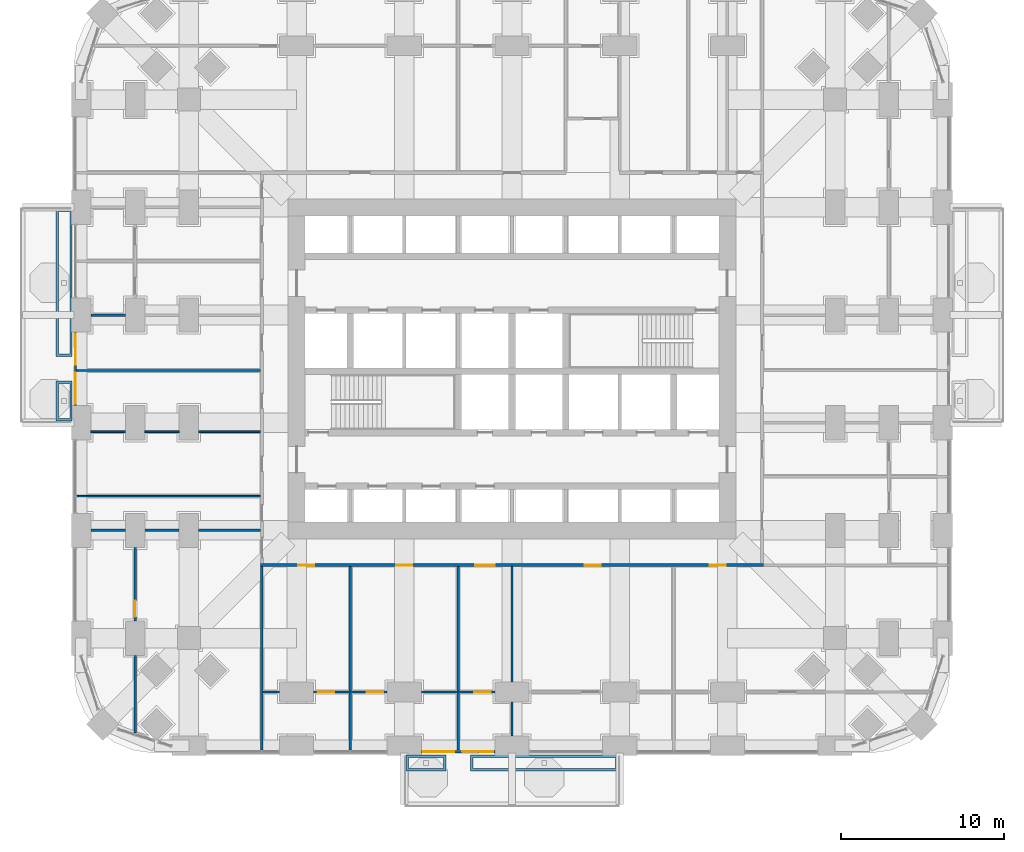
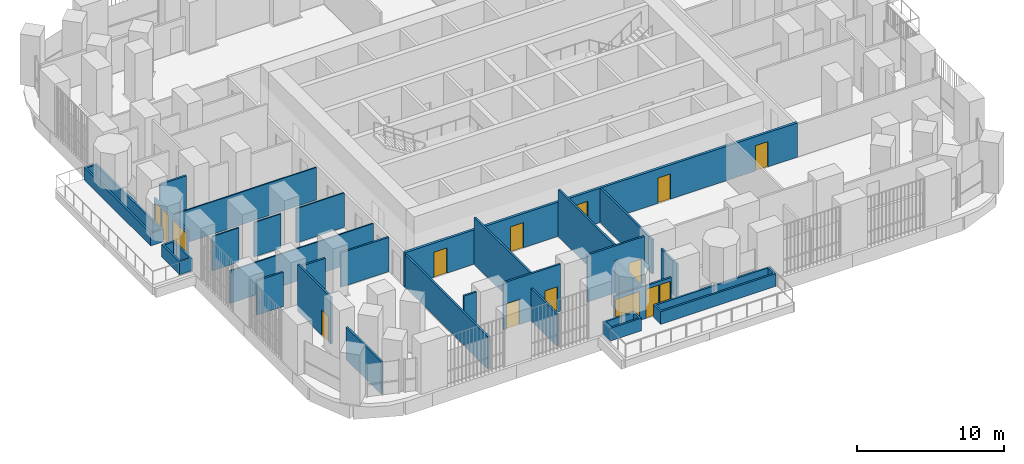
# One storey, part 17 of 26: 28 walls, 11 doors, 4 windows, 15 openings.
"""IFC4 building model written with IfcOpenShell, lengths in metres."""

from ifc_helpers import new_model, si_unit, direction, frame, frame_2d, origin, place, context, subcontext, project, spatial, polyline, rectangle, outline, extrude, material, layer, layer_set, type_object, element, fill, save


model = new_model("IFC4")

# Units and contexts
model_context = context("Model", 3, precision=1e-05, world=origin(), true_north=direction((0.0, 1.0)))
body_context = subcontext(model_context, "Body", "Model", "MODEL_VIEW")
ifc_project = project(units=[si_unit("LENGTHUNIT", "METRE"), si_unit("AREAUNIT", "SQUARE_METRE"), si_unit("VOLUMEUNIT", "CUBIC_METRE"), si_unit("PLANEANGLEUNIT", "RADIAN"), si_unit("MASSUNIT", "GRAM", prefix="KILO")], contexts=[model_context])

# Site, building, storey
site_placement = place(None, origin())
site = spatial("IfcSite", under=ifc_project, at=site_placement, CompositionType="ELEMENT")
building_placement = place(site_placement, origin())
building = spatial("IfcBuilding", under=site, at=building_placement, Name="Cobogo Forest Laboratory Tower", CompositionType="ELEMENT")
storey_placement = place(building_placement, frame((0.0, 0.0, 33.89990234375)))
storey = spatial("IfcBuildingStorey", under=building, at=storey_placement, Name="L07", CompositionType="ELEMENT", Elevation=33.89990234375)

# Wall, openings, door, windows
ifc_material_1 = material(Name="Aluminium framed glazed screen", Category="aluminium")
ifc_layer_1 = layer(ifc_material_1, 0.14990234375)
ifc_layer_set_1 = layer_set([ifc_layer_1], Name="GS1 glazed door screen 150")
wall_type_1 = type_object("IfcWallType", Name="GS1 glazed door screen 150", PredefinedType="SOLIDWALL", material=ifc_layer_set_1)
wall_1_placement = place(storey_placement, frame((20.85009765625, -0.35009765625, 0.0), z_axis=(0.0, 0.0, 1.0), x_axis=(1.0, 0.0, 0.0)))
wall_1 = element("IfcWall", 1, at=wall_1_placement, inside=storey, type_object=wall_type_1, Name="Door screen BAL-S1 L07", PredefinedType="SOLIDWALL", context=body_context, shape_type="SweptSolid", body=[
    extrude(rectangle(XDim=4.5, YDim=0.14990234375, at=frame_2d((2.25, 0.0))), origin(), (0.0, 0.0, 1.0), 2.7001953125),
])
opening_1_placement = place(wall_1_placement, frame((2.5, 0.0, 0.0)))
opening_1 = element("IfcOpeningElement", 2, at=opening_1_placement, cuts=wall_1, Name="Opening L07-D01", PredefinedType="OPENING", context=body_context, shape_type="SweptSolid", body=[
    extrude(rectangle(XDim=1.0, YDim=2.39990234375, at=frame_2d((0.5, 1.199951171875))), frame((0.0, 0.0849609375, 0.0), z_axis=(0.0, -1.0, 0.0), x_axis=(1.0, 0.0, 0.0)), (0.0, 0.0, 1.0), 0.169921875),
])
opening_2_placement = place(wall_1_placement, frame((0.10009765625, 0.0, 0.10009765625)))
opening_2 = element("IfcOpeningElement", 3, at=opening_2_placement, cuts=wall_1, Name="Opening L07-W01", PredefinedType="OPENING", context=body_context, shape_type="SweptSolid", body=[
    extrude(rectangle(XDim=1.89990234375, YDim=2.300048828125, at=frame_2d((0.949951171875, 1.14990234375))), frame((0.0, 0.0849609375, 0.0), z_axis=(0.0, -1.0, 0.0), x_axis=(1.0, 0.0, 0.0)), (0.0, 0.0, 1.0), 0.169921875),
])
opening_3_placement = place(wall_1_placement, frame((3.60009765625, 0.0, 0.10009765625)))
opening_3 = element("IfcOpeningElement", 4, at=opening_3_placement, cuts=wall_1, Name="Opening L07-W02", PredefinedType="OPENING", context=body_context, shape_type="SweptSolid", body=[
    extrude(rectangle(XDim=0.800048828125, YDim=2.300048828125, at=frame_2d((0.39990234375, 1.14990234375))), frame((0.0, 0.0849609375, 0.0), z_axis=(0.0, -1.0, 0.0), x_axis=(1.0, 0.0, 0.0)), (0.0, 0.0, 1.0), 0.169921875),
])
ifc_material_2 = material(Name="Aluminium glazed door", Category="aluminium")
door_type_1 = type_object("IfcDoorType", Name="DB1 balcony door 1000 glazed", OperationType="SINGLE_SWING_LEFT", PredefinedType="DOOR", material=ifc_material_2)
door_1_placement = place(opening_1_placement, origin())
door_1 = element("IfcDoor", 5, at=door_1_placement, inside=storey, type_object=door_type_1, Name="Door L07-BAL-S1", OperationType="SINGLE_SWING_RIGHT", OverallHeight=2.39990234375, OverallWidth=1.0, PredefinedType="DOOR", context=body_context, shape_type="SweptSolid", body=[
    extrude(rectangle(XDim=1.0, YDim=2.39990234375, at=frame_2d((0.5, 1.199951171875))), frame((0.0, 0.02490234375, 0.0), z_axis=(0.0, -1.0, 0.0), x_axis=(1.0, 0.0, 0.0)), (0.0, 0.0, 1.0), 0.050048828125),
])
fill(opening_1, door_1)
ifc_material_3 = material(Name="Aluminium framed glazing", Category="aluminium")
window_type_1 = type_object("IfcWindowType", Name="WG3 fixed glazed light 1900x2300", PartitioningType="SINGLE_PANEL", PredefinedType="WINDOW", material=ifc_material_3)
window_1_placement = place(opening_2_placement, origin())
window_1 = element("IfcWindow", 6, at=window_1_placement, inside=storey, type_object=window_type_1, Name="Window L07-BAL-S1-1", OverallHeight=2.300048828125, OverallWidth=1.89990234375, PartitioningType="SINGLE_PANEL", PredefinedType="WINDOW", context=body_context, shape_type="SweptSolid", body=[
    extrude(rectangle(XDim=1.89990234375, YDim=2.300048828125, at=frame_2d((0.949951171875, 1.14990234375))), frame((0.0, 0.030029296875, 0.0), z_axis=(0.0, -1.0, 0.0), x_axis=(1.0, 0.0, 0.0)), (0.0, 0.0, 1.0), 0.06005859375),
])
fill(opening_2, window_1)
window_type_2 = type_object("IfcWindowType", Name="WG4 fixed glazed light 800x2300", PartitioningType="SINGLE_PANEL", PredefinedType="WINDOW", material=ifc_material_3)
window_2_placement = place(opening_3_placement, origin())
window_2 = element("IfcWindow", 7, at=window_2_placement, inside=storey, type_object=window_type_2, Name="Window L07-BAL-S1-2", OverallHeight=2.300048828125, OverallWidth=0.800048828125, PartitioningType="SINGLE_PANEL", PredefinedType="WINDOW", context=body_context, shape_type="SweptSolid", body=[
    extrude(rectangle(XDim=0.800048828125, YDim=2.300048828125, at=frame_2d((0.39990234375, 1.14990234375))), frame((0.0, 0.030029296875, 0.0), z_axis=(0.0, -1.0, 0.0), x_axis=(1.0, 0.0, 0.0)), (0.0, 0.0, 1.0), 0.06005859375),
])
fill(opening_3, window_2)

wall_2_placement = place(storey_placement, frame((-0.35009765625, 25.35009765625, 0.0), z_axis=(0.0, 0.0, 1.0), x_axis=(0.0, -1.0, 0.0)))
wall_2 = element("IfcWall", 8, at=wall_2_placement, inside=storey, type_object=wall_type_1, Name="Door screen BAL-W1 L07", PredefinedType="SOLIDWALL", context=body_context, shape_type="SweptSolid", body=[
    extrude(rectangle(XDim=4.5, YDim=0.14990234375, at=frame_2d((2.25, 0.0))), origin(), (0.0, 0.0, 1.0), 2.7001953125),
])
opening_4_placement = place(wall_2_placement, frame((1.0, 0.0, 0.0)))
opening_4 = element("IfcOpeningElement", 9, at=opening_4_placement, cuts=wall_2, Name="Opening L07-D27", PredefinedType="OPENING", context=body_context, shape_type="SweptSolid", body=[
    extrude(rectangle(XDim=1.0, YDim=2.39990234375, at=frame_2d((0.5, 1.199951171875))), frame((0.0, 0.0849609375, 0.0), z_axis=(0.0, -1.0, 0.0), x_axis=(1.0, 0.0, 0.0)), (0.0, 0.0, 1.0), 0.169921875),
])
opening_5_placement = place(wall_2_placement, frame((0.10009765625, 0.0, 0.10009765625)))
opening_5 = element("IfcOpeningElement", 10, at=opening_5_placement, cuts=wall_2, Name="Opening L07-W05", PredefinedType="OPENING", context=body_context, shape_type="SweptSolid", body=[
    extrude(rectangle(XDim=0.800048828125, YDim=2.300048828125, at=frame_2d((0.39990234375, 1.14990234375))), frame((0.0, 0.0849609375, 0.0), z_axis=(0.0, -1.0, 0.0), x_axis=(1.0, 0.0, 0.0)), (0.0, 0.0, 1.0), 0.169921875),
])
opening_6_placement = place(wall_2_placement, frame((2.5, 0.0, 0.10009765625)))
opening_6 = element("IfcOpeningElement", 11, at=opening_6_placement, cuts=wall_2, Name="Opening L07-W03", PredefinedType="OPENING", context=body_context, shape_type="SweptSolid", body=[
    extrude(rectangle(XDim=1.89990234375, YDim=2.300048828125, at=frame_2d((0.949951171875, 1.14990234375))), frame((0.0, 0.0849609375, 0.0), z_axis=(0.0, -1.0, 0.0), x_axis=(1.0, 0.0, 0.0)), (0.0, 0.0, 1.0), 0.169921875),
])
door_2_placement = place(opening_4_placement, origin())
door_2 = element("IfcDoor", 12, at=door_2_placement, inside=storey, type_object=door_type_1, Name="Door L07-BAL-W1", OperationType="SINGLE_SWING_LEFT", OverallHeight=2.39990234375, OverallWidth=1.0, PredefinedType="DOOR", context=body_context, shape_type="SweptSolid", body=[
    extrude(rectangle(XDim=1.0, YDim=2.39990234375, at=frame_2d((0.5, 1.199951171875))), frame((0.0, 0.02490234375, 0.0), z_axis=(0.0, -1.0, 0.0), x_axis=(1.0, 0.0, 0.0)), (0.0, 0.0, 1.0), 0.050048828125),
])
fill(opening_4, door_2)
window_3_placement = place(opening_6_placement, origin())
window_3 = element("IfcWindow", 13, at=window_3_placement, inside=storey, type_object=window_type_1, Name="Window L07-BAL-W1-2", OverallHeight=2.300048828125, OverallWidth=1.89990234375, PartitioningType="SINGLE_PANEL", PredefinedType="WINDOW", context=body_context, shape_type="SweptSolid", body=[
    extrude(rectangle(XDim=1.89990234375, YDim=2.300048828125, at=frame_2d((0.949951171875, 1.14990234375))), frame((0.0, 0.030029296875, 0.0), z_axis=(0.0, -1.0, 0.0), x_axis=(1.0, 0.0, 0.0)), (0.0, 0.0, 1.0), 0.06005859375),
])
fill(opening_6, window_3)
window_4_placement = place(opening_5_placement, origin())
window_4 = element("IfcWindow", 14, at=window_4_placement, inside=storey, type_object=window_type_2, Name="Window L07-BAL-W1-1", OverallHeight=2.300048828125, OverallWidth=0.800048828125, PartitioningType="SINGLE_PANEL", PredefinedType="WINDOW", context=body_context, shape_type="SweptSolid", body=[
    extrude(rectangle(XDim=0.800048828125, YDim=2.300048828125, at=frame_2d((0.39990234375, 1.14990234375))), frame((0.0, 0.030029296875, 0.0), z_axis=(0.0, -1.0, 0.0), x_axis=(1.0, 0.0, 0.0)), (0.0, 0.0, 1.0), 0.06005859375),
])
fill(opening_5, window_4)

# Walls
ifc_material_4 = material(Name="Gypsum board on steel studs", Category="steel")
ifc_layer_2 = layer(ifc_material_4, 0.14990234375)
ifc_layer_set_2 = layer_set([ifc_layer_2], Name="PT1 laboratory partition 150")
wall_type_2 = type_object("IfcWallType", Name="PT1 laboratory partition 150", PredefinedType="PARTITIONING", material=ifc_layer_set_2)
wall_3_placement = place(storey_placement, frame((11.074951171875, -0.27001953125, 0.0), z_axis=(0.0, 0.0, 1.0), x_axis=(0.0, 1.0, 0.0)))
element("IfcWall", 15, at=wall_3_placement, inside=storey, type_object=wall_type_2, Name="Partition PW-SW L07", PredefinedType="PARTITIONING", context=body_context, shape_type="SweptSolid", body=[
    extrude(rectangle(XDim=11.2451171875, YDim=0.14990234375, at=frame_2d((5.62255859375, 0.0))), origin(), (0.0, 0.0, 1.0), 2.7001953125),
])
wall_4_placement = place(storey_placement, frame((11.14990234375, 3.300048828125, 0.0), z_axis=(0.0, 0.0, 1.0), x_axis=(1.0, 0.0, 0.0)))
element("IfcWall", 16, at=wall_4_placement, inside=storey, type_object=wall_type_2, Name="Partition STRIP-S-1 L07", PredefinedType="PARTITIONING", context=body_context, shape_type="SweptSolid", body=[
    extrude(rectangle(XDim=1.0, YDim=0.14990234375, at=frame_2d((0.5, 0.0))), origin(), (0.0, 0.0, 1.0), 3.900146484375),
])

# Wall, openings, doors
wall_5_placement = place(storey_placement, frame((14.25, 3.300048828125, 0.0), z_axis=(0.0, 0.0, 1.0), x_axis=(1.0, 0.0, 0.0)))
wall_5 = element("IfcWall", 17, at=wall_5_placement, inside=storey, type_object=wall_type_2, Name="Partition STRIP-S-2 L07", PredefinedType="PARTITIONING", context=body_context, shape_type="SweptSolid", body=[
    extrude(rectangle(XDim=4.5, YDim=0.14990234375, at=frame_2d((2.25, 0.0))), origin(), (0.0, 0.0, 1.0), 3.900146484375),
])
opening_7_placement = place(wall_5_placement, frame((0.25, 0.0, 0.0)))
opening_7 = element("IfcOpeningElement", 18, at=opening_7_placement, cuts=wall_5, Name="Opening L07-D02", PredefinedType="OPENING", context=body_context, shape_type="SweptSolid", body=[
    extrude(rectangle(XDim=1.0, YDim=2.10009765625, at=frame_2d((0.5, 1.050048828125))), frame((0.0, 0.0849609375, 0.0), z_axis=(0.0, -1.0, 0.0), x_axis=(1.0, 0.0, 0.0)), (0.0, 0.0, 1.0), 0.169921875),
])
opening_8_placement = place(wall_5_placement, frame((3.25, 0.0, 0.0)))
opening_8 = element("IfcOpeningElement", 19, at=opening_8_placement, cuts=wall_5, Name="Opening L07-D03", PredefinedType="OPENING", context=body_context, shape_type="SweptSolid", body=[
    extrude(rectangle(XDim=1.0, YDim=2.10009765625, at=frame_2d((0.5, 1.050048828125))), frame((0.0, 0.0849609375, 0.0), z_axis=(0.0, -1.0, 0.0), x_axis=(1.0, 0.0, 0.0)), (0.0, 0.0, 1.0), 0.169921875),
])
ifc_material_5 = material(Name="Timber fire door", Category="wood")
door_type_2 = type_object("IfcDoorType", Name="FD2 fire door 1000 EI2 30", OperationType="SINGLE_SWING_LEFT", PredefinedType="DOOR", material=ifc_material_5)
door_3_placement = place(opening_7_placement, origin())
door_3 = element("IfcDoor", 20, at=door_3_placement, inside=storey, type_object=door_type_2, Name="Door L07-S1W", OperationType="SINGLE_SWING_LEFT", OverallHeight=2.10009765625, OverallWidth=1.0, PredefinedType="DOOR", context=body_context, shape_type="SweptSolid", body=[
    extrude(rectangle(XDim=1.0, YDim=2.10009765625, at=frame_2d((0.5, 1.050048828125))), frame((0.0, 0.02490234375, 0.0), z_axis=(0.0, -1.0, 0.0), x_axis=(1.0, 0.0, 0.0)), (0.0, 0.0, 1.0), 0.050048828125),
])
fill(opening_7, door_3)
door_4_placement = place(opening_8_placement, origin())
door_4 = element("IfcDoor", 21, at=door_4_placement, inside=storey, type_object=door_type_2, Name="Door L07-S2W", OperationType="SINGLE_SWING_RIGHT", OverallHeight=2.10009765625, OverallWidth=1.0, PredefinedType="DOOR", context=body_context, shape_type="SweptSolid", body=[
    extrude(rectangle(XDim=1.0, YDim=2.10009765625, at=frame_2d((0.5, 1.050048828125))), frame((0.0, 0.02490234375, 0.0), z_axis=(0.0, -1.0, 0.0), x_axis=(1.0, 0.0, 0.0)), (0.0, 0.0, 1.0), 0.050048828125),
])
fill(opening_8, door_4)

# Wall, opening, door
wall_6_placement = place(storey_placement, frame((20.85009765625, 3.300048828125, 0.0), z_axis=(0.0, 0.0, 1.0), x_axis=(1.0, 0.0, 0.0)))
wall_6 = element("IfcWall", 22, at=wall_6_placement, inside=storey, type_object=wall_type_2, Name="Partition STRIP-S-3 L07", PredefinedType="PARTITIONING", context=body_context, shape_type="SweptSolid", body=[
    extrude(rectangle(XDim=4.5, YDim=0.14990234375, at=frame_2d((2.25, 0.0))), origin(), (0.0, 0.0, 1.0), 3.900146484375),
])
opening_9_placement = place(wall_6_placement, frame((3.25, 0.0, 0.0)))
opening_9 = element("IfcOpeningElement", 23, at=opening_9_placement, cuts=wall_6, Name="Opening L07-D04", PredefinedType="OPENING", context=body_context, shape_type="SweptSolid", body=[
    extrude(rectangle(XDim=1.0, YDim=2.10009765625, at=frame_2d((0.5, 1.050048828125))), frame((0.0, 0.0849609375, 0.0), z_axis=(0.0, -1.0, 0.0), x_axis=(1.0, 0.0, 0.0)), (0.0, 0.0, 1.0), 0.169921875),
])
door_5_placement = place(opening_9_placement, origin())
door_5 = element("IfcDoor", 24, at=door_5_placement, inside=storey, type_object=door_type_2, Name="Door L07-S3W", OperationType="SINGLE_SWING_RIGHT", OverallHeight=2.10009765625, OverallWidth=1.0, PredefinedType="DOOR", context=body_context, shape_type="SweptSolid", body=[
    extrude(rectangle(XDim=1.0, YDim=2.10009765625, at=frame_2d((0.5, 1.050048828125))), frame((0.0, 0.02490234375, 0.0), z_axis=(0.0, -1.0, 0.0), x_axis=(1.0, 0.0, 0.0)), (0.0, 0.0, 1.0), 0.050048828125),
])
fill(opening_9, door_5)

# Walls
wall_7_placement = place(storey_placement, frame((16.5, -0.27001953125, 0.0), z_axis=(0.0, 0.0, 1.0), x_axis=(0.0, 1.0, 0.0)))
element("IfcWall", 25, at=wall_7_placement, inside=storey, type_object=wall_type_2, Name="Partition CUT-S16.5a-1 L07", PredefinedType="PARTITIONING", context=body_context, shape_type="SweptSolid", body=[
    extrude(rectangle(XDim=3.4951171875, YDim=0.14990234375, at=frame_2d((1.74755859375, 0.0))), origin(), (0.0, 0.0, 1.0), 2.7001953125),
])
wall_8_placement = place(storey_placement, frame((16.5, 3.375, 0.0), z_axis=(0.0, 0.0, 1.0), x_axis=(0.0, 1.0, 0.0)))
element("IfcWall", 26, at=wall_8_placement, inside=storey, type_object=wall_type_2, Name="Partition CUT-S16.5b-1 L07", PredefinedType="PARTITIONING", context=body_context, shape_type="SweptSolid", body=[
    extrude(rectangle(XDim=7.60009765625, YDim=0.14990234375, at=frame_2d((3.800048828125, 0.0))), origin(), (0.0, 0.0, 1.0), 3.900146484375),
])
wall_9_placement = place(storey_placement, frame((23.10009765625, -0.27001953125, 0.0), z_axis=(0.0, 0.0, 1.0), x_axis=(0.0, 1.0, 0.0)))
element("IfcWall", 27, at=wall_9_placement, inside=storey, type_object=wall_type_2, Name="Partition CUT-S23.1a-1 L07", PredefinedType="PARTITIONING", context=body_context, shape_type="SweptSolid", body=[
    extrude(rectangle(XDim=3.4951171875, YDim=0.14990234375, at=frame_2d((1.74755859375, 0.0))), origin(), (0.0, 0.0, 1.0), 2.7001953125),
])
wall_10_placement = place(storey_placement, frame((23.10009765625, 3.375, 0.0), z_axis=(0.0, 0.0, 1.0), x_axis=(0.0, 1.0, 0.0)))
element("IfcWall", 28, at=wall_10_placement, inside=storey, type_object=wall_type_2, Name="Partition CUT-S23.1b-1 L07", PredefinedType="PARTITIONING", context=body_context, shape_type="SweptSolid", body=[
    extrude(rectangle(XDim=7.60009765625, YDim=0.14990234375, at=frame_2d((3.800048828125, 0.0))), origin(), (0.0, 0.0, 1.0), 3.900146484375),
])
wall_11_placement = place(storey_placement, frame((26.39990234375, 0.60009765625, 0.0), z_axis=(0.0, 0.0, 1.0), x_axis=(0.0, 1.0, 0.0)))
element("IfcWall", 29, at=wall_11_placement, inside=storey, type_object=wall_type_2, Name="Partition CUT-S26.4a-1 L07", PredefinedType="PARTITIONING", context=body_context, shape_type="SweptSolid", body=[
    extrude(rectangle(XDim=2.099853515625, YDim=0.14990234375, at=frame_2d((1.0498046875, 0.0))), origin(), (0.0, 0.0, 1.0), 2.85009765625),
])
wall_12_placement = place(storey_placement, frame((26.39990234375, 3.89990234375, 0.0), z_axis=(0.0, 0.0, 1.0), x_axis=(0.0, 1.0, 0.0)))
element("IfcWall", 30, at=wall_12_placement, inside=storey, type_object=wall_type_2, Name="Partition CUT-S26.4b-1 L07", PredefinedType="PARTITIONING", context=body_context, shape_type="SweptSolid", body=[
    extrude(rectangle(XDim=7.0751953125, YDim=0.14990234375, at=frame_2d((3.53759765625, 0.0))), origin(), (0.0, 0.0, 1.0), 2.85009765625),
])

# Wall, opening, door
wall_13_placement = place(storey_placement, frame((3.300048828125, 12.14990234375, 0.0), z_axis=(0.0, 0.0, 1.0), x_axis=(0.0, -1.0, 0.0)))
wall_13 = element("IfcWall", 31, at=wall_13_placement, inside=storey, type_object=wall_type_2, Name="Partition STRIP-W-2 L07", PredefinedType="PARTITIONING", context=body_context, shape_type="SweptSolid", body=[
    extrude(rectangle(XDim=4.5, YDim=0.14990234375, at=frame_2d((2.25, 0.0))), origin(), (0.0, 0.0, 1.0), 3.900146484375),
])
opening_10_placement = place(wall_13_placement, frame((3.25, 0.0, 0.0)))
opening_10 = element("IfcOpeningElement", 32, at=opening_10_placement, cuts=wall_13, Name="Opening L07-D07", PredefinedType="OPENING", context=body_context, shape_type="SweptSolid", body=[
    extrude(rectangle(XDim=1.0, YDim=2.10009765625, at=frame_2d((0.5, 1.050048828125))), frame((0.0, 0.0849609375, 0.0), z_axis=(0.0, -1.0, 0.0), x_axis=(1.0, 0.0, 0.0)), (0.0, 0.0, 1.0), 0.169921875),
])
door_6_placement = place(opening_10_placement, origin())
door_6 = element("IfcDoor", 33, at=door_6_placement, inside=storey, type_object=door_type_2, Name="Door L07-W1W", OperationType="SINGLE_SWING_RIGHT", OverallHeight=2.10009765625, OverallWidth=1.0, PredefinedType="DOOR", context=body_context, shape_type="SweptSolid", body=[
    extrude(rectangle(XDim=1.0, YDim=2.10009765625, at=frame_2d((0.5, 1.050048828125))), frame((0.0, 0.02490234375, 0.0), z_axis=(0.0, -1.0, 0.0), x_axis=(1.0, 0.0, 0.0)), (0.0, 0.0, 1.0), 0.050048828125),
])
fill(opening_10, door_6)

# Walls
wall_14_placement = place(storey_placement, frame((3.300048828125, 5.550048828125, 0.0), z_axis=(0.0, 0.0, 1.0), x_axis=(0.0, -1.0, 0.0)))
element("IfcWall", 34, at=wall_14_placement, inside=storey, type_object=wall_type_2, Name="Partition STRIP-W-3 L07", PredefinedType="PARTITIONING", context=body_context, shape_type="SweptSolid", body=[
    extrude(rectangle(XDim=4.77392578125, YDim=0.14990234375, at=frame_2d((2.386962890625, 0.0))), origin(), (0.0, 0.0, 1.0), 2.7001953125),
])
wall_15_placement = place(storey_placement, frame((0.60009765625, 13.199951171875, 0.0), z_axis=(0.0, 0.0, 1.0), x_axis=(1.0, 0.0, 0.0)))
element("IfcWall", 35, at=wall_15_placement, inside=storey, type_object=wall_type_2, Name="Partition CUT-W13.2-1 L07", PredefinedType="PARTITIONING", context=body_context, shape_type="SweptSolid", body=[
    extrude(rectangle(XDim=2.099853515625, YDim=0.14990234375, at=frame_2d((1.0498046875, 0.0))), origin(), (0.0, 0.0, 1.0), 2.85009765625),
])
wall_16_placement = place(storey_placement, frame((3.89990234375, 13.199951171875, 0.0), z_axis=(0.0, 0.0, 1.0), x_axis=(1.0, 0.0, 0.0)))
element("IfcWall", 36, at=wall_16_placement, inside=storey, type_object=wall_type_2, Name="Partition CUT-W13.2-2 L07", PredefinedType="PARTITIONING", context=body_context, shape_type="SweptSolid", body=[
    extrude(rectangle(XDim=2.10009765625, YDim=0.14990234375, at=frame_2d((1.050048828125, 0.0))), origin(), (0.0, 0.0, 1.0), 2.85009765625),
])
wall_17_placement = place(storey_placement, frame((7.199951171875, 13.199951171875, 0.0), z_axis=(0.0, 0.0, 1.0), x_axis=(1.0, 0.0, 0.0)))
element("IfcWall", 37, at=wall_17_placement, inside=storey, type_object=wall_type_2, Name="Partition CUT-W13.2-3 L07", PredefinedType="PARTITIONING", context=body_context, shape_type="SweptSolid", body=[
    extrude(rectangle(XDim=3.775146484375, YDim=0.14990234375, at=frame_2d((1.8876953125, 0.0))), origin(), (0.0, 0.0, 1.0), 2.85009765625),
])
wall_18_placement = place(storey_placement, frame((0.60009765625, 26.39990234375, 0.0), z_axis=(0.0, 0.0, 1.0), x_axis=(1.0, 0.0, 0.0)))
element("IfcWall", 38, at=wall_18_placement, inside=storey, type_object=wall_type_2, Name="Partition CUT-W26.4-1 L07", PredefinedType="PARTITIONING", context=body_context, shape_type="SweptSolid", body=[
    extrude(rectangle(XDim=2.099853515625, YDim=0.14990234375, at=frame_2d((1.0498046875, 0.0))), origin(), (0.0, 0.0, 1.0), 2.85009765625),
])

# Wall, openings, doors
ifc_layer_3 = layer(ifc_material_4, 0.199951171875)
ifc_layer_set_3 = layer_set([ifc_layer_3], Name="PT2 fire-rated corridor partition 200")
wall_type_3 = type_object("IfcWallType", Name="PT2 fire-rated corridor partition 200", PredefinedType="PARTITIONING", material=ifc_layer_set_3)
wall_19_placement = place(storey_placement, frame((10.97509765625, 11.074951171875, 0.0), z_axis=(0.0, 0.0, 1.0), x_axis=(1.0, 0.0, 0.0)))
wall_19 = element("IfcWall", 39, at=wall_19_placement, inside=storey, type_object=wall_type_3, Name="Partition CORR-S L07", PredefinedType="PARTITIONING", context=body_context, shape_type="SweptSolid", body=[
    extrude(rectangle(XDim=30.849853515625, YDim=0.199951171875, at=frame_2d((15.4248046875, 0.0))), origin(), (0.0, 0.0, 1.0), 2.85009765625),
])
opening_11_placement = place(wall_19_placement, frame((2.3125, 0.0, 0.0)))
opening_11 = element("IfcOpeningElement", 40, at=opening_11_placement, cuts=wall_19, Name="Opening L07-D08", PredefinedType="OPENING", context=body_context, shape_type="SweptSolid", body=[
    extrude(rectangle(XDim=1.0, YDim=2.10009765625, at=frame_2d((0.5, 1.050048828125))), frame((0.0, 0.10986328125, 0.0), z_axis=(0.0, -1.0, 0.0), x_axis=(1.0, 0.0, 0.0)), (0.0, 0.0, 1.0), 0.219970703125),
])
opening_12_placement = place(wall_19_placement, frame((8.324951171875, 0.0, 0.0)))
opening_12 = element("IfcOpeningElement", 41, at=opening_12_placement, cuts=wall_19, Name="Opening L07-D09", PredefinedType="OPENING", context=body_context, shape_type="SweptSolid", body=[
    extrude(rectangle(XDim=1.0, YDim=2.10009765625, at=frame_2d((0.5, 1.050048828125))), frame((0.0, 0.10986328125, 0.0), z_axis=(0.0, -1.0, 0.0), x_axis=(1.0, 0.0, 0.0)), (0.0, 0.0, 1.0), 0.219970703125),
])
opening_13_placement = place(wall_19_placement, frame((13.175048828125, 0.0, 0.0)))
opening_13 = element("IfcOpeningElement", 42, at=opening_13_placement, cuts=wall_19, Name="Opening L07-D10", PredefinedType="OPENING", context=body_context, shape_type="SweptSolid", body=[
    extrude(rectangle(XDim=1.199951171875, YDim=2.10009765625, at=frame_2d((0.60009765625, 1.050048828125))), frame((0.0, 0.10986328125, 0.0), z_axis=(0.0, -1.0, 0.0), x_axis=(1.0, 0.0, 0.0)), (0.0, 0.0, 1.0), 0.219970703125),
])
opening_14_placement = place(wall_19_placement, frame((19.875, 0.0, 0.0)))
opening_14 = element("IfcOpeningElement", 43, at=opening_14_placement, cuts=wall_19, Name="Opening L07-D11", PredefinedType="OPENING", context=body_context, shape_type="SweptSolid", body=[
    extrude(rectangle(XDim=1.0, YDim=2.10009765625, at=frame_2d((0.5, 1.050048828125))), frame((0.0, 0.10986328125, 0.0), z_axis=(0.0, -1.0, 0.0), x_axis=(1.0, 0.0, 0.0)), (0.0, 0.0, 1.0), 0.219970703125),
])
opening_15_placement = place(wall_19_placement, frame((27.53759765625, 0.0, 0.0)))
opening_15 = element("IfcOpeningElement", 44, at=opening_15_placement, cuts=wall_19, Name="Opening L07-D12", PredefinedType="OPENING", context=body_context, shape_type="SweptSolid", body=[
    extrude(rectangle(XDim=1.0, YDim=2.10009765625, at=frame_2d((0.5, 1.050048828125))), frame((0.0, 0.10986328125, 0.0), z_axis=(0.0, -1.0, 0.0), x_axis=(1.0, 0.0, 0.0)), (0.0, 0.0, 1.0), 0.219970703125),
])
ifc_material_6 = material(Name="Timber door", Category="wood")
door_type_3 = type_object("IfcDoorType", Name="D2 laboratory door 1200 unequal pair", OperationType="DOUBLE_DOOR_SINGLE_SWING", PredefinedType="DOOR", material=ifc_material_6)
door_7_placement = place(opening_13_placement, origin())
door_7 = element("IfcDoor", 45, at=door_7_placement, inside=storey, type_object=door_type_3, Name="Door L07-S3", OperationType="DOUBLE_DOOR_SINGLE_SWING", OverallHeight=2.10009765625, OverallWidth=1.199951171875, PredefinedType="DOOR", context=body_context, shape_type="SweptSolid", body=[
    extrude(rectangle(XDim=1.199951171875, YDim=2.10009765625, at=frame_2d((0.60009765625, 1.050048828125))), frame((0.0, 0.02490234375, 0.0), z_axis=(0.0, -1.0, 0.0), x_axis=(1.0, 0.0, 0.0)), (0.0, 0.0, 1.0), 0.050048828125),
])
fill(opening_13, door_7)
door_8_placement = place(opening_11_placement, origin())
door_8 = element("IfcDoor", 46, at=door_8_placement, inside=storey, type_object=door_type_2, Name="Door L07-S1", OperationType="SINGLE_SWING_LEFT", OverallHeight=2.10009765625, OverallWidth=1.0, PredefinedType="DOOR", context=body_context, shape_type="SweptSolid", body=[
    extrude(rectangle(XDim=1.0, YDim=2.10009765625, at=frame_2d((0.5, 1.050048828125))), frame((0.0, 0.02490234375, 0.0), z_axis=(0.0, -1.0, 0.0), x_axis=(1.0, 0.0, 0.0)), (0.0, 0.0, 1.0), 0.050048828125),
])
fill(opening_11, door_8)
door_9_placement = place(opening_12_placement, origin())
door_9 = element("IfcDoor", 47, at=door_9_placement, inside=storey, type_object=door_type_2, Name="Door L07-S2", OperationType="SINGLE_SWING_LEFT", OverallHeight=2.10009765625, OverallWidth=1.0, PredefinedType="DOOR", context=body_context, shape_type="SweptSolid", body=[
    extrude(rectangle(XDim=1.0, YDim=2.10009765625, at=frame_2d((0.5, 1.050048828125))), frame((0.0, 0.02490234375, 0.0), z_axis=(0.0, -1.0, 0.0), x_axis=(1.0, 0.0, 0.0)), (0.0, 0.0, 1.0), 0.050048828125),
])
fill(opening_12, door_9)
door_10_placement = place(opening_14_placement, origin())
door_10 = element("IfcDoor", 48, at=door_10_placement, inside=storey, type_object=door_type_2, Name="Door L07-S4", OperationType="SINGLE_SWING_RIGHT", OverallHeight=2.10009765625, OverallWidth=1.0, PredefinedType="DOOR", context=body_context, shape_type="SweptSolid", body=[
    extrude(rectangle(XDim=1.0, YDim=2.10009765625, at=frame_2d((0.5, 1.050048828125))), frame((0.0, 0.02490234375, 0.0), z_axis=(0.0, -1.0, 0.0), x_axis=(1.0, 0.0, 0.0)), (0.0, 0.0, 1.0), 0.050048828125),
])
fill(opening_14, door_10)
door_11_placement = place(opening_15_placement, origin())
door_11 = element("IfcDoor", 49, at=door_11_placement, inside=storey, type_object=door_type_2, Name="Door L07-S5", OperationType="SINGLE_SWING_RIGHT", OverallHeight=2.10009765625, OverallWidth=1.0, PredefinedType="DOOR", context=body_context, shape_type="SweptSolid", body=[
    extrude(rectangle(XDim=1.0, YDim=2.10009765625, at=frame_2d((0.5, 1.050048828125))), frame((0.0, 0.02490234375, 0.0), z_axis=(0.0, -1.0, 0.0), x_axis=(1.0, 0.0, 0.0)), (0.0, 0.0, 1.0), 0.050048828125),
])
fill(opening_15, door_11)

# Walls
ifc_layer_4 = layer(ifc_material_4, 0.10009765625)
ifc_layer_set_4 = layer_set([ifc_layer_4], Name="PT3 toilet partition 100")
wall_type_4 = type_object("IfcWallType", Name="PT3 toilet partition 100", PredefinedType="PARTITIONING", material=ifc_layer_set_4)
wall_20_placement = place(storey_placement, frame((-0.27001953125, 15.300048828125, 0.0), z_axis=(0.0, 0.0, 1.0), x_axis=(1.0, 0.0, 0.0)))
element("IfcWall", 50, at=wall_20_placement, inside=storey, type_object=wall_type_4, Name="Partition SVC-W1-1 L07", PredefinedType="PARTITIONING", context=body_context, shape_type="SweptSolid", body=[
    extrude(rectangle(XDim=11.2451171875, YDim=0.10009765625, at=frame_2d((5.62255859375, 0.0))), origin(), (0.0, 0.0, 1.0), 2.7001953125),
])
wall_21_placement = place(storey_placement, frame((0.60009765625, 19.25, 0.0), z_axis=(0.0, 0.0, 1.0), x_axis=(1.0, 0.0, 0.0)))
element("IfcWall", 51, at=wall_21_placement, inside=storey, type_object=wall_type_4, Name="Partition SVC-W2-1 L07", PredefinedType="PARTITIONING", context=body_context, shape_type="SweptSolid", body=[
    extrude(rectangle(XDim=2.099853515625, YDim=0.10009765625, at=frame_2d((1.0498046875, 0.0))), origin(), (0.0, 0.0, 1.0), 2.85009765625),
])
wall_22_placement = place(storey_placement, frame((3.89990234375, 19.25, 0.0), z_axis=(0.0, 0.0, 1.0), x_axis=(1.0, 0.0, 0.0)))
element("IfcWall", 52, at=wall_22_placement, inside=storey, type_object=wall_type_4, Name="Partition SVC-W2-2 L07", PredefinedType="PARTITIONING", context=body_context, shape_type="SweptSolid", body=[
    extrude(rectangle(XDim=2.10009765625, YDim=0.10009765625, at=frame_2d((1.050048828125, 0.0))), origin(), (0.0, 0.0, 1.0), 2.85009765625),
])
wall_23_placement = place(storey_placement, frame((7.199951171875, 19.25, 0.0), z_axis=(0.0, 0.0, 1.0), x_axis=(1.0, 0.0, 0.0)))
element("IfcWall", 53, at=wall_23_placement, inside=storey, type_object=wall_type_4, Name="Partition SVC-W2-3 L07", PredefinedType="PARTITIONING", context=body_context, shape_type="SweptSolid", body=[
    extrude(rectangle(XDim=3.775146484375, YDim=0.10009765625, at=frame_2d((1.8876953125, 0.0))), origin(), (0.0, 0.0, 1.0), 2.85009765625),
])
wall_24_placement = place(storey_placement, frame((-0.27001953125, 23.0, 0.0), z_axis=(0.0, 0.0, 1.0), x_axis=(1.0, 0.0, 0.0)))
element("IfcWall", 54, at=wall_24_placement, inside=storey, type_object=wall_type_4, Name="Partition SVC-W3-1 L07", PredefinedType="PARTITIONING", context=body_context, shape_type="SweptSolid", body=[
    extrude(rectangle(XDim=11.2451171875, YDim=0.10009765625, at=frame_2d((5.62255859375, 0.0))), origin(), (0.0, 0.0, 1.0), 2.7001953125),
])
ifc_material_7 = material(Name="Concrete HA-40 (C40/50)", Category="concrete")
ifc_layer_5 = layer(ifc_material_7, 0.14990234375)
ifc_layer_set_5 = layer_set([ifc_layer_5], Name="Planter box 1000x1050")
wall_type_5 = type_object("IfcWallType", Name="Planter box 1000x1050", PredefinedType="USERDEFINED", material=ifc_layer_set_5)
wall_25_placement = place(storey_placement, origin())
element("IfcWall", 55, at=wall_25_placement, inside=storey, type_object=wall_type_5, Name="Planter BAL-S1-1 L07", ObjectType="PLANTER", PredefinedType="USERDEFINED", context=body_context, shape_type="SweptSolid", body=[
    extrude(outline(polyline([(19.89990234375, -1.550048828125), (22.35009765625, -1.550048828125), (22.35009765625, -0.550048828125), (19.89990234375, -0.550048828125), (19.89990234375, -1.550048828125)]), holes=[polyline([(20.050048828125, -1.39990234375), (22.199951171875, -1.39990234375), (22.199951171875, -0.699951171875), (20.050048828125, -0.699951171875), (20.050048828125, -1.39990234375)])]), origin(), (0.0, 0.0, 1.0), 1.050048828125),
])
wall_26_placement = place(storey_placement, origin())
element("IfcWall", 56, at=wall_26_placement, inside=storey, type_object=wall_type_5, Name="Planter BAL-S1-2 L07", ObjectType="PLANTER", PredefinedType="USERDEFINED", context=body_context, shape_type="SweptSolid", body=[
    extrude(outline(polyline([(23.85009765625, -1.550048828125), (32.89990234375, -1.550048828125), (32.89990234375, -0.550048828125), (23.85009765625, -0.550048828125), (23.85009765625, -1.550048828125)]), holes=[polyline([(24.0, -1.39990234375), (32.75, -1.39990234375), (32.75, -0.699951171875), (24.0, -0.699951171875), (24.0, -1.39990234375)])]), origin(), (0.0, 0.0, 1.0), 1.050048828125),
])
wall_27_placement = place(storey_placement, origin())
element("IfcWall", 57, at=wall_27_placement, inside=storey, type_object=wall_type_5, Name="Planter BAL-W1-1 L07", ObjectType="PLANTER", PredefinedType="USERDEFINED", context=body_context, shape_type="SweptSolid", body=[
    extrude(outline(polyline([(-1.550048828125, 19.89990234375), (-0.550048828125, 19.89990234375), (-0.550048828125, 22.35009765625), (-1.550048828125, 22.35009765625), (-1.550048828125, 19.89990234375)]), holes=[polyline([(-1.39990234375, 20.050048828125), (-0.699951171875, 20.050048828125), (-0.699951171875, 22.199951171875), (-1.39990234375, 22.199951171875), (-1.39990234375, 20.050048828125)])]), origin(), (0.0, 0.0, 1.0), 1.050048828125),
])
wall_28_placement = place(storey_placement, origin())
element("IfcWall", 58, at=wall_28_placement, inside=storey, type_object=wall_type_5, Name="Planter BAL-W1-2 L07", ObjectType="PLANTER", PredefinedType="USERDEFINED", context=body_context, shape_type="SweptSolid", body=[
    extrude(outline(polyline([(-1.550048828125, 23.85009765625), (-0.550048828125, 23.85009765625), (-0.550048828125, 32.89990234375), (-1.550048828125, 32.89990234375), (-1.550048828125, 23.85009765625)]), holes=[polyline([(-1.39990234375, 24.0), (-0.699951171875, 24.0), (-0.699951171875, 32.75), (-1.39990234375, 32.75), (-1.39990234375, 24.0)])]), origin(), (0.0, 0.0, 1.0), 1.050048828125),
])

save(model, "model.ifc")
